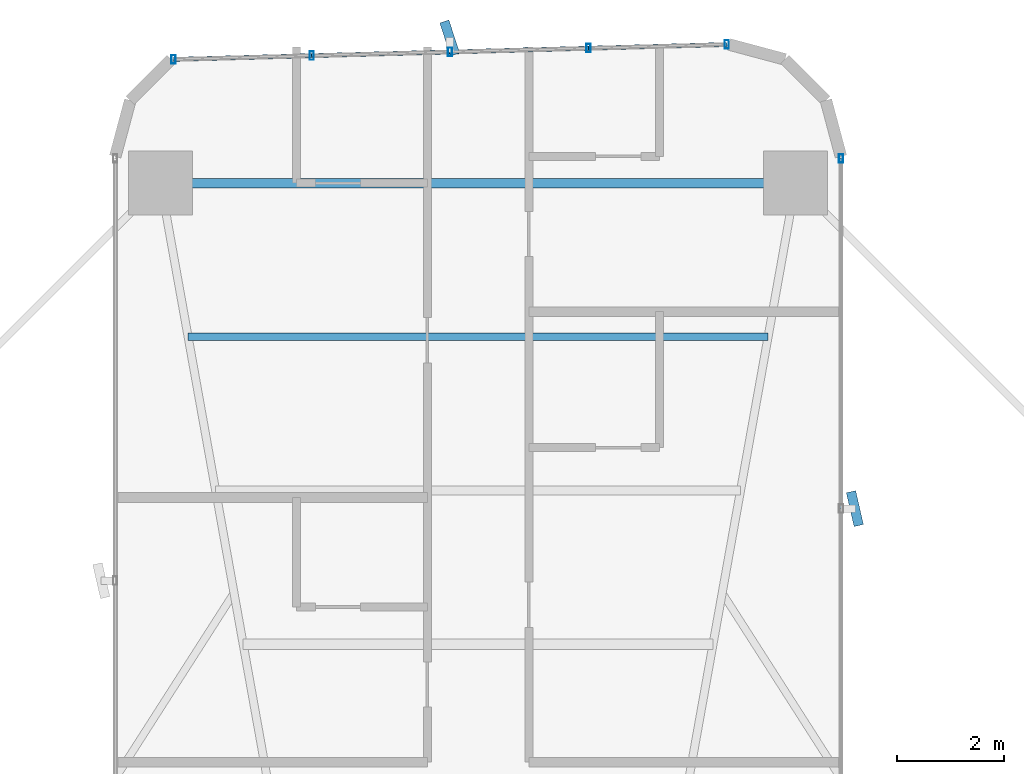
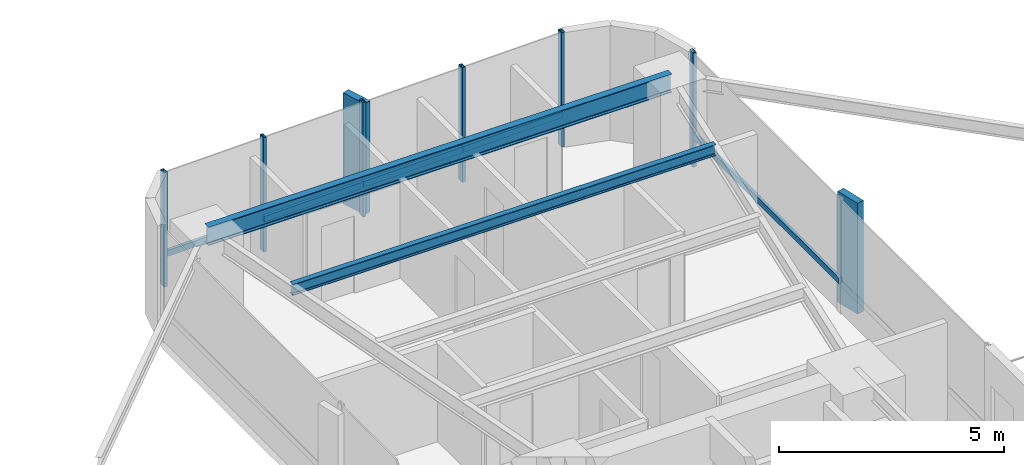
# One storey, part 19 of 26: 13 members, 2 beams, 2 elements without a shape of their own.
"""IFC4 building model written with IfcOpenShell, lengths in metres."""

import ifcopenshell
import ifcopenshell.guid

model = None  # the IFC model being written
_history = None  # IfcOwnerHistory: only IFC2X3 demands one
_inside = {}  # id of a spatial element -> (the spatial element, [elements in it])
_under = {}  # id of a project, library or spatial element -> (it, [spatial elements below it])
_declared = {}  # id of a project -> (the project, [libraries it declares])
_typed = {}  # id of a type object -> (the type object, [elements of that type])
_made_of = {}  # id of a material, layer set ... -> (it, [elements and type objects made of it])


def new_model(schema):
    """Start an empty IFC model of exactly this schema.

    Asked for "IFC4X3", IfcOpenShell would pick the latest addendum, in which some entities
    have other attributes; the version numbers below select the first issue.
    IFC2X3 requires an IfcOwnerHistory on every rooted entity: one is made here for all.
    """
    global model, _history
    if schema == "IFC4X3":
        model = ifcopenshell.file(schema_version=(4, 3, 0, 0))
    else:
        model = ifcopenshell.file(schema=schema)
    _inside.clear()
    _under.clear()
    _declared.clear()
    _typed.clear()
    _made_of.clear()
    _history = None
    if model.schema == "IFC2X3":
        org = make("IfcOrganization", Name="unknown")
        user = make(
            "IfcPersonAndOrganization",
            ThePerson=make("IfcPerson", FamilyName="unknown"),
            TheOrganization=org,
        )
        app = make(
            "IfcApplication",
            ApplicationDeveloper=org,
            Version="unknown",
            ApplicationFullName="unknown",
            ApplicationIdentifier="unknown",
        )
        _history = make(
            "IfcOwnerHistory",
            OwningUser=user,
            OwningApplication=app,
            ChangeAction="ADDED",
            CreationDate=0,
        )
    return model


def make(cls, **values):
    """One entity of the class cls with the attributes given. An attribute that is None is left unset."""
    return model.create_entity(
        cls, **{name: value for name, value in values.items() if value is not None}
    )


def rooted(cls, **values):
    """An entity with a GlobalId (a new one), such as an element, a storey or a relation."""
    return make(cls, GlobalId=ifcopenshell.guid.new(), OwnerHistory=_history, **values)


def si_unit(unit_type, name, prefix=None):
    """IfcSIUnit, for example si_unit("LENGTHUNIT", "METRE", prefix="MILLI")."""
    return make("IfcSIUnit", UnitType=unit_type, Prefix=prefix, Name=name)


def assignment(units):
    """IfcUnitAssignment: the units of a project."""
    return None if units is None else make("IfcUnitAssignment", Units=units)


def point(xyz):
    """IfcCartesianPoint."""
    return None if xyz is None else make("IfcCartesianPoint", Coordinates=xyz)


def direction(xyz):
    """IfcDirection."""
    return None if xyz is None else make("IfcDirection", DirectionRatios=xyz)


def frame(location, z_axis=None, x_axis=None):
    """IfcAxis2Placement3D, a coordinate frame: its origin and axes. An axis left out is left unset."""
    return make(
        "IfcAxis2Placement3D",
        Location=point(location),
        Axis=direction(z_axis),
        RefDirection=direction(x_axis),
    )


def frame_2d(location, x_axis=None):
    """IfcAxis2Placement2D, a coordinate frame in the plane: its origin and x axis."""
    return make(
        "IfcAxis2Placement2D", Location=point(location), RefDirection=direction(x_axis)
    )


def origin():
    """The frame at (0, 0, 0) with its axes left unset."""
    return frame((0.0, 0.0, 0.0))


def origin_2d():
    """The frame at (0, 0) in the plane with its x axis left unset."""
    return frame_2d((0.0, 0.0))


def place(relative_to, where):
    """IfcLocalPlacement: puts the frame where relative to a parent placement (None: the world)."""
    return make(
        "IfcLocalPlacement", PlacementRelTo=relative_to, RelativePlacement=where
    )


def context(
    kind, dimensions, precision=None, world=None, true_north=None, identifier=None
):
    """IfcGeometricRepresentationContext, for example the 3D "Model" context."""
    return make(
        "IfcGeometricRepresentationContext",
        ContextIdentifier=identifier,
        ContextType=kind,
        CoordinateSpaceDimension=dimensions,
        Precision=precision,
        WorldCoordinateSystem=world,
        TrueNorth=true_north,
    )


def subcontext(parent, identifier, kind, view, scale=None):
    """IfcGeometricRepresentationSubContext, for example "Body" below "Model"."""
    return make(
        "IfcGeometricRepresentationSubContext",
        ContextIdentifier=identifier,
        ContextType=kind,
        ParentContext=parent,
        TargetScale=scale,
        TargetView=view,
    )


def project(units=None, contexts=None):
    """IfcProject with its units and contexts."""
    return rooted(
        "IfcProject",
        Name="project",
        RepresentationContexts=contexts,
        UnitsInContext=assignment(units),
    )


def spatial(cls, under=None, at=None, **own):
    """A site, building, storey or space (cls), placed at a placement, below another one or the project."""
    s = rooted(cls, ObjectPlacement=at, **own)
    if under is not None:
        _under.setdefault(under.id(), (under, []))[1].append(s)
    return s


def profile(cls, at=None, kind="AREA", **sizes):
    """A parametric profile (cls). Its sizes go by their IFC names, for example OverallWidth=200.0."""
    return make(cls, ProfileType=kind, Position=at, **sizes)


def rectangle(**sizes):
    """IfcRectangleProfileDef."""
    return profile("IfcRectangleProfileDef", **sizes)


def hollow_rectangle(**sizes):
    """IfcRectangleHollowProfileDef."""
    return profile("IfcRectangleHollowProfileDef", **sizes)


def i_section(**sizes):
    """IfcIShapeProfileDef."""
    return profile("IfcIShapeProfileDef", **sizes)


def extrude(swept, where, along, depth):
    """IfcExtrudedAreaSolid: the profile swept, set in the frame where, extruded along a direction by depth."""
    return make(
        "IfcExtrudedAreaSolid",
        SweptArea=swept,
        Position=where,
        ExtrudedDirection=direction(along),
        Depth=depth,
    )


def shape(context_of_items, identifier, shape_type, items):
    """IfcShapeRepresentation: the items that make up one representation, for example the "Body"."""
    return make(
        "IfcShapeRepresentation",
        ContextOfItems=context_of_items,
        RepresentationIdentifier=identifier,
        RepresentationType=shape_type,
        Items=items,
    )


def source(mapping_origin, context_of_items, identifier, shape_type, items):
    """IfcRepresentationMap: a shape defined once, which mapped items show again and again."""
    return make(
        "IfcRepresentationMap",
        MappingOrigin=mapping_origin,
        MappedRepresentation=shape(context_of_items, identifier, shape_type, items),
    )


def transform(
    local_origin,
    x_axis=None,
    y_axis=None,
    z_axis=None,
    scale=None,
    scale2=None,
    scale3=None,
    uniform=True,
):
    """IfcCartesianTransformationOperator3D, or its non-uniform kind. x_axis, y_axis, z_axis: its Axis1, 2, 3."""
    if uniform:
        return make(
            "IfcCartesianTransformationOperator3D",
            Axis1=direction(x_axis),
            Axis2=direction(y_axis),
            LocalOrigin=point(local_origin),
            Scale=scale,
            Axis3=direction(z_axis),
        )
    return make(
        "IfcCartesianTransformationOperator3DnonUniform",
        Axis1=direction(x_axis),
        Axis2=direction(y_axis),
        LocalOrigin=point(local_origin),
        Scale=scale,
        Axis3=direction(z_axis),
        Scale2=scale2,
        Scale3=scale3,
    )


def mapped(mapping_source, mapping_target):
    """IfcMappedItem: shows the shape of a source again, moved by a transform."""
    return make(
        "IfcMappedItem", MappingSource=mapping_source, MappingTarget=mapping_target
    )


def material(Name=None, Category=None):
    """IfcMaterial."""
    return make("IfcMaterial", Name=Name, Category=Category)


def material_profile(
    of_material, cross_section, Name=None, Category=None, Priority=None
):
    """IfcMaterialProfile: a cross section and its material."""
    return make(
        "IfcMaterialProfile",
        Name=Name,
        Material=of_material,
        Profile=cross_section,
        Priority=Priority,
        Category=Category,
    )


def profile_set(profiles, Name=None, composite=None):
    """IfcMaterialProfileSet."""
    return make(
        "IfcMaterialProfileSet",
        Name=Name,
        MaterialProfiles=profiles,
        CompositeProfile=composite,
    )


def made_of(thing, what):
    """Note that an element or type object is made of a material, layer set ...; save() writes the relation."""
    if what is not None:
        _made_of.setdefault(what.id(), (what, []))[1].append(thing)
    return thing


def type_object(cls, material=None, **own):
    """A type object (cls), such as IfcWallType, which elements share."""
    return made_of(rooted(cls, **own), material)


def element(
    cls,
    number,
    at=None,
    inside=None,
    cuts=None,
    type_object=None,
    material=None,
    context=None,
    identifier="Body",
    shape_type=None,
    held_by="IfcProductDefinitionShape",
    body=None,
    shapes=None,
    **own,
):
    """One element of the class cls, such as IfcWall. Its Tag is "e" and its number.

    at: its placement. inside: the storey or other place that contains it. cuts: it is an
    opening in that element (IfcRelVoidsElement). A single representation is given by context,
    identifier, shape_type and body (its items); several are given by shapes. held_by: the class
    of the entity that holds the representations. save() writes the other relations.
    """
    e = rooted(cls, Tag="e%d" % number, ObjectPlacement=at, **own)
    if body is not None:
        shapes = [shape(context, identifier, shape_type, body)]
    if shapes is not None:
        e.Representation = make(held_by, Representations=shapes)
    if inside is not None:
        _inside.setdefault(inside.id(), (inside, []))[1].append(e)
    if cuts is not None:
        rooted(
            "IfcRelVoidsElement", RelatingBuildingElement=cuts, RelatedOpeningElement=e
        )
    if type_object is not None:
        _typed.setdefault(type_object.id(), (type_object, []))[1].append(e)
    return made_of(e, material)


def aggregate(whole, parts):
    """IfcRelAggregates: a whole, such as a stair, and the parts it consists of."""
    return rooted("IfcRelAggregates", RelatingObject=whole, RelatedObjects=parts)


def save(model, path):
    """Write the relations noted so far, then the file.

    IfcRelAggregates (storeys below a building ...), IfcRelContainedInSpatialStructure (elements
    in a storey), IfcRelDefinesByType, IfcRelAssociatesMaterial and IfcRelDeclares: one each for
    every whole, place, type object, material and project.
    """
    for whole, parts in _under.values():
        aggregate(whole, parts)
    for where, things in _inside.values():
        rooted(
            "IfcRelContainedInSpatialStructure",
            RelatedElements=things,
            RelatingStructure=where,
        )
    for kind, things in _typed.values():
        rooted("IfcRelDefinesByType", RelatedObjects=things, RelatingType=kind)
    for what, things in _made_of.values():
        rooted("IfcRelAssociatesMaterial", RelatedObjects=things, RelatingMaterial=what)
    for by, libraries in _declared.values():
        rooted("IfcRelDeclares", RelatingContext=by, RelatedDefinitions=libraries)
    model.write(path)


model = new_model("IFC4")

# Units and contexts
model_context = context("Model", 3, precision=1e-05, world=origin(), true_north=direction((0.0, 1.0)))
body_context = subcontext(model_context, "Body", "Model", "MODEL_VIEW")
ifc_project = project(units=[si_unit("LENGTHUNIT", "METRE"), si_unit("AREAUNIT", "SQUARE_METRE"), si_unit("VOLUMEUNIT", "CUBIC_METRE"), si_unit("PLANEANGLEUNIT", "RADIAN"), si_unit("MASSUNIT", "GRAM", prefix="KILO")], contexts=[model_context])

# Site, building, storey
site_placement = place(None, origin())
site = spatial("IfcSite", under=ifc_project, at=site_placement, CompositionType="ELEMENT")
building_placement = place(site_placement, origin())
building = spatial("IfcBuilding", under=site, at=building_placement, Name="Sahyath Konkavel Grand Hotel", CompositionType="ELEMENT")
storey_placement = place(building_placement, frame((0.0, 0.0, 26.449951171875)))
storey = spatial("IfcBuildingStorey", under=building, at=storey_placement, Name="L06", CompositionType="ELEMENT", Elevation=26.449951171875)

# Beams
ifc_material_1 = material(Name="Steel E350", Category="steel")
ifc_material_profile_1 = material_profile(ifc_material_1, i_section(OverallWidth=0.179931640625, OverallDepth=0.5, WebThickness=0.01025390625, FlangeThickness=0.01708984375, FilletRadius=0.01708984375, at=origin_2d()), Name="ISMB 500")
ifc_profile_set_1 = profile_set([ifc_material_profile_1], Name="Steel E350")
beam_type_1 = type_object("IfcBeamType", Name="BM-ISMB500", PredefinedType="BEAM", material=ifc_profile_set_1)
shared_shape_1 = source(origin(), body_context, "Body", "SweptSolid", [
    extrude(i_section(OverallWidth=0.179931640625, OverallDepth=0.5, WebThickness=0.01025390625, FlangeThickness=0.01708984375, FilletRadius=0.01708984375, at=origin_2d()), origin(), (0.0, 0.0, 1.0), 11.89990234375),
])
beam_1_placement = place(storey_placement, frame((5.949951171875, 22.199951171875, 2.860107421875), z_axis=(-1.0, 0.0, 0.0), x_axis=(0.0, -1.0, 0.0)))
element("IfcBeam", 1, at=beam_1_placement, inside=storey, type_object=beam_type_1, Name="L06 Wing Tip Edge Beam N", PredefinedType="BEAM", context=body_context, shape_type="MappedRepresentation", body=[
    mapped(shared_shape_1, transform((0.0, 0.0, 0.0), scale=1.0)),
])
ifc_material_profile_2 = material_profile(ifc_material_1, i_section(OverallWidth=0.139892578125, OverallDepth=0.300048828125, WebThickness=0.0078125, FlangeThickness=0.01318359375, FilletRadius=0.013916015625, at=origin_2d()), Name="ISMB 300")
ifc_profile_set_2 = profile_set([ifc_material_profile_2], Name="Steel E350")
beam_type_2 = type_object("IfcBeamType", Name="BM-ISMB300", PredefinedType="BEAM", material=ifc_profile_set_2)
shared_shape_2 = source(origin(), body_context, "Body", "SweptSolid", [
    extrude(i_section(OverallWidth=0.139892578125, OverallDepth=0.300048828125, WebThickness=0.0078125, FlangeThickness=0.01318359375, FilletRadius=0.013916015625, at=origin_2d()), origin(), (0.0, 0.0, 1.0), 10.8681640625),
])
beam_2_placement = place(storey_placement, frame((5.43408203125, 19.320068359375, 2.9599609375), z_axis=(-1.0, 0.0, 0.0), x_axis=(0.0, -1.0, 0.0)))
element("IfcBeam", 2, at=beam_2_placement, inside=storey, type_object=beam_type_2, Name="L06 Secondary Floor Beam N-3", PredefinedType="BEAM", context=body_context, shape_type="MappedRepresentation", body=[
    mapped(shared_shape_2, transform((0.0, 0.0, 0.0), scale=1.0)),
])

# Curtain wall, member
ifc_material_2 = material(Name="Anodised Bronze Aluminium & Low-E Glazing", Category="aluminium")
curtain_wall_type = type_object("IfcCurtainWallType", Name="CW-ZONE1", PredefinedType="NOTDEFINED", material=ifc_material_2)
curtain_wall_1_placement = place(storey_placement, origin())
curtain_wall_1 = element("IfcCurtainWall", 3, at=curtain_wall_1_placement, inside=storey, type_object=curtain_wall_type, Name="L06 Unitised Curtain Wall F8", PredefinedType="NOTDEFINED")
ifc_material_3 = material(Name="Warm Buff Sandstone Cladding on Concrete C50/60", Category="masonry")
ifc_material_profile_3 = material_profile(ifc_material_3, rectangle(XDim=0.179931640625, YDim=0.64990234375, at=origin_2d()), Name="FIN 180x650")
ifc_profile_set_3 = profile_set([ifc_material_profile_3], Name="Warm Buff Sandstone Cladding on Concrete C50/60")
member_type_1 = type_object("IfcMemberType", Name="FIN-SANDSTONE-650", PredefinedType="MULLION", material=ifc_profile_set_3)
shared_shape_3 = source(origin(), body_context, "Body", "SweptSolid", [
    extrude(rectangle(XDim=0.179931640625, YDim=0.64990234375, at=origin_2d()), origin(), (0.0, 0.0, 1.0), 3.010009765625),
])
member_1_placement = place(storey_placement, frame((7.06005859375, 16.10009765625, 0.050048828125), z_axis=(0.0, 0.0, 1.0), x_axis=(0.974644167091, 0.223760469153, 0.0)))
member_1 = element("IfcMember", 4, at=member_1_placement, type_object=member_type_1, Name="L06 Sandstone Vertical Solar Fin FIN F8-1", PredefinedType="MULLION", context=body_context, shape_type="MappedRepresentation", body=[
    mapped(shared_shape_3, transform((0.0, 0.0, 0.0), scale=1.0)),
])

# Curtain wall, members
curtain_wall_2_placement = place(storey_placement, origin())
curtain_wall_2 = element("IfcCurtainWall", 5, at=curtain_wall_2_placement, inside=storey, type_object=curtain_wall_type, Name="L06 Unitised Curtain Wall F12", PredefinedType="NOTDEFINED")
member_2_placement = place(storey_placement, frame((-0.531982421875, 24.919189453125, 0.050048828125), z_axis=(0.0, 0.0, 1.0), x_axis=(0.951056516295, 0.309016994375, 0.0)))
member_2 = element("IfcMember", 6, at=member_2_placement, type_object=member_type_1, Name="L06 Sandstone Vertical Solar Fin FIN F12-2", PredefinedType="MULLION", context=body_context, shape_type="MappedRepresentation", body=[
    mapped(shared_shape_3, transform((0.0, 0.0, 0.0), scale=1.0)),
])
ifc_material_4 = material(Name="Anodised Bronze Aluminium", Category="aluminium")
ifc_material_profile_4 = material_profile(ifc_material_4, hollow_rectangle(XDim=0.080078125, YDim=0.159912109375, WallThickness=0.006103515625, at=origin_2d()), Name="RHS 160x80x6")
ifc_profile_set_4 = profile_set([ifc_material_profile_4], Name="Anodised Bronze Aluminium")
member_type_2 = type_object("IfcMemberType", Name="CW-TRN-160", PredefinedType="USERDEFINED", material=ifc_profile_set_4)
shared_shape_4 = source(origin(), body_context, "Body", "SweptSolid", [
    extrude(hollow_rectangle(XDim=0.080078125, YDim=0.159912109375, WallThickness=0.006103515625, at=origin_2d()), origin(), (0.0, 0.0, 1.0), 2.593505859375),
])
member_3_placement = place(storey_placement, frame((4.659912109375, 24.798828125, 0.85009765625), z_axis=(-0.999637507825, -0.026923093252, 0.0), x_axis=(0.026923093252, -0.999637507825, 0.0)))
member_3 = element("IfcMember", 7, at=member_3_placement, type_object=member_type_2, Name="L06 Curtain Wall Transom F12-0-spandrel", ObjectType="TRANSOM", PredefinedType="USERDEFINED", context=body_context, shape_type="MappedRepresentation", body=[
    mapped(shared_shape_4, transform((0.0, 0.0, 0.0), scale=1.0)),
])
member_4_placement = place(storey_placement, frame((-0.52490234375, 24.6591796875, 0.85009765625), z_axis=(-0.999640036937, -0.02682902444, 0.0), x_axis=(0.02682902444, -0.999640036937, 0.0)))
member_4 = element("IfcMember", 8, at=member_4_placement, type_object=member_type_2, Name="L06 Curtain Wall Transom F12-2-spandrel", ObjectType="TRANSOM", PredefinedType="USERDEFINED", context=body_context, shape_type="MappedRepresentation", body=[
    mapped(shared_shape_4, transform((0.0, 0.0, 0.0), scale=1.0)),
])
member_5_placement = place(storey_placement, frame((-3.117431640625, 24.589599609375, 0.85009765625), z_axis=(-0.999637507825, -0.026923093252, 0.0), x_axis=(0.026923093252, -0.999637507825, 0.0)))
member_5 = element("IfcMember", 9, at=member_5_placement, type_object=member_type_2, Name="L06 Curtain Wall Transom F12-3-spandrel", ObjectType="TRANSOM", PredefinedType="USERDEFINED", context=body_context, shape_type="MappedRepresentation", body=[
    mapped(shared_shape_4, transform((0.0, 0.0, 0.0), scale=1.0)),
])
shared_shape_5 = source(origin(), body_context, "Body", "SweptSolid", [
    extrude(hollow_rectangle(XDim=0.080078125, YDim=0.159912109375, WallThickness=0.006103515625, at=origin_2d()), origin(), (0.0, 0.0, 1.0), 2.59326171875),
])
member_6_placement = place(storey_placement, frame((2.0673828125, 24.72900390625, 0.85009765625), z_axis=(-0.99963743958, -0.026925627022, 0.0), x_axis=(0.026925627022, -0.99963743958, 0.0)))
member_6 = element("IfcMember", 10, at=member_6_placement, type_object=member_type_2, Name="L06 Curtain Wall Transom F12-1-spandrel", ObjectType="TRANSOM", PredefinedType="USERDEFINED", context=body_context, shape_type="MappedRepresentation", body=[
    mapped(shared_shape_5, transform((0.0, 0.0, 0.0), scale=1.0)),
])

# Member
ifc_material_profile_5 = material_profile(ifc_material_4, hollow_rectangle(XDim=0.080078125, YDim=0.159912109375, WallThickness=0.006103515625, at=origin_2d()), Name="RHS 160x80x6")
ifc_profile_set_5 = profile_set([ifc_material_profile_5], Name="Anodised Bronze Aluminium")
member_type_3 = type_object("IfcMemberType", Name="CW-MUL-160", PredefinedType="MULLION", material=ifc_profile_set_5)
shared_shape_6 = source(origin(), body_context, "Body", "SweptSolid", [
    extrude(hollow_rectangle(XDim=0.080078125, YDim=0.159912109375, WallThickness=0.006103515625, at=origin_2d()), origin(), (0.0, 0.0, 1.0), 3.110107421875),
])
member_7_placement = place(storey_placement, frame((6.800048828125, 22.659912109375, 0.0), z_axis=(0.0, 0.0, 1.0), x_axis=(1.0, 0.0, 0.0)))
member_7 = element("IfcMember", 11, at=member_7_placement, type_object=member_type_3, Name="L06 Curtain Wall Mullion F8-2", PredefinedType="MULLION", context=body_context, shape_type="MappedRepresentation", body=[
    mapped(shared_shape_6, transform((0.0, 0.0, 0.0), scale=1.0)),
])

member_8_placement = place(storey_placement, frame((4.659912109375, 24.798828125, 0.0), z_axis=(0.0, 0.0, 1.0), x_axis=(1.0, 0.0, 0.0)))
member_8 = element("IfcMember", 12, at=member_8_placement, type_object=member_type_3, Name="L06 Curtain Wall Mullion F12-0", PredefinedType="MULLION", context=body_context, shape_type="MappedRepresentation", body=[
    mapped(shared_shape_6, transform((0.0, 0.0, 0.0), scale=1.0)),
])

member_9_placement = place(storey_placement, frame((2.0673828125, 24.72900390625, 0.0), z_axis=(0.0, 0.0, 1.0), x_axis=(1.0, 0.0, 0.0)))
member_9 = element("IfcMember", 13, at=member_9_placement, type_object=member_type_3, Name="L06 Curtain Wall Mullion F12-1", PredefinedType="MULLION", context=body_context, shape_type="MappedRepresentation", body=[
    mapped(shared_shape_6, transform((0.0, 0.0, 0.0), scale=1.0)),
])

member_10_placement = place(storey_placement, frame((-0.52490234375, 24.6591796875, 0.0), z_axis=(0.0, 0.0, 1.0), x_axis=(1.0, 0.0, 0.0)))
member_10 = element("IfcMember", 14, at=member_10_placement, type_object=member_type_3, Name="L06 Curtain Wall Mullion F12-2", PredefinedType="MULLION", context=body_context, shape_type="MappedRepresentation", body=[
    mapped(shared_shape_6, transform((0.0, 0.0, 0.0), scale=1.0)),
])

member_11_placement = place(storey_placement, frame((-3.117431640625, 24.589599609375, 0.0), z_axis=(0.0, 0.0, 1.0), x_axis=(1.0, 0.0, 0.0)))
member_11 = element("IfcMember", 15, at=member_11_placement, type_object=member_type_3, Name="L06 Curtain Wall Mullion F12-3", PredefinedType="MULLION", context=body_context, shape_type="MappedRepresentation", body=[
    mapped(shared_shape_6, transform((0.0, 0.0, 0.0), scale=1.0)),
])

member_12_placement = place(storey_placement, frame((-5.7099609375, 24.519775390625, 0.0), z_axis=(0.0, 0.0, 1.0), x_axis=(1.0, 0.0, 0.0)))
member_12 = element("IfcMember", 16, at=member_12_placement, type_object=member_type_3, Name="L06 Curtain Wall Mullion F12-4", PredefinedType="MULLION", context=body_context, shape_type="MappedRepresentation", body=[
    mapped(shared_shape_6, transform((0.0, 0.0, 0.0), scale=1.0)),
])

aggregate(curtain_wall_2, [member_8, member_9, member_10, member_2, member_11, member_12, member_3, member_6, member_4, member_5])

shared_shape_7 = source(origin(), body_context, "Body", "SweptSolid", [
    extrude(hollow_rectangle(XDim=0.080078125, YDim=0.159912109375, WallThickness=0.006103515625, at=origin_2d()), origin(), (0.0, 0.0, 1.0), 6.559814453125),
])
member_13_placement = place(storey_placement, frame((6.800048828125, 16.10009765625, 0.85009765625), z_axis=(0.0, 1.0, 0.0), x_axis=(-1.0, 0.0, 0.0)))
member_13 = element("IfcMember", 17, at=member_13_placement, type_object=member_type_2, Name="L06 Curtain Wall Transom F8-1-spandrel", ObjectType="TRANSOM", PredefinedType="USERDEFINED", context=body_context, shape_type="MappedRepresentation", body=[
    mapped(shared_shape_7, transform((0.0, 0.0, 0.0), scale=1.0)),
])

aggregate(curtain_wall_1, [member_1, member_7, member_13])

save(model, "model.ifc")
